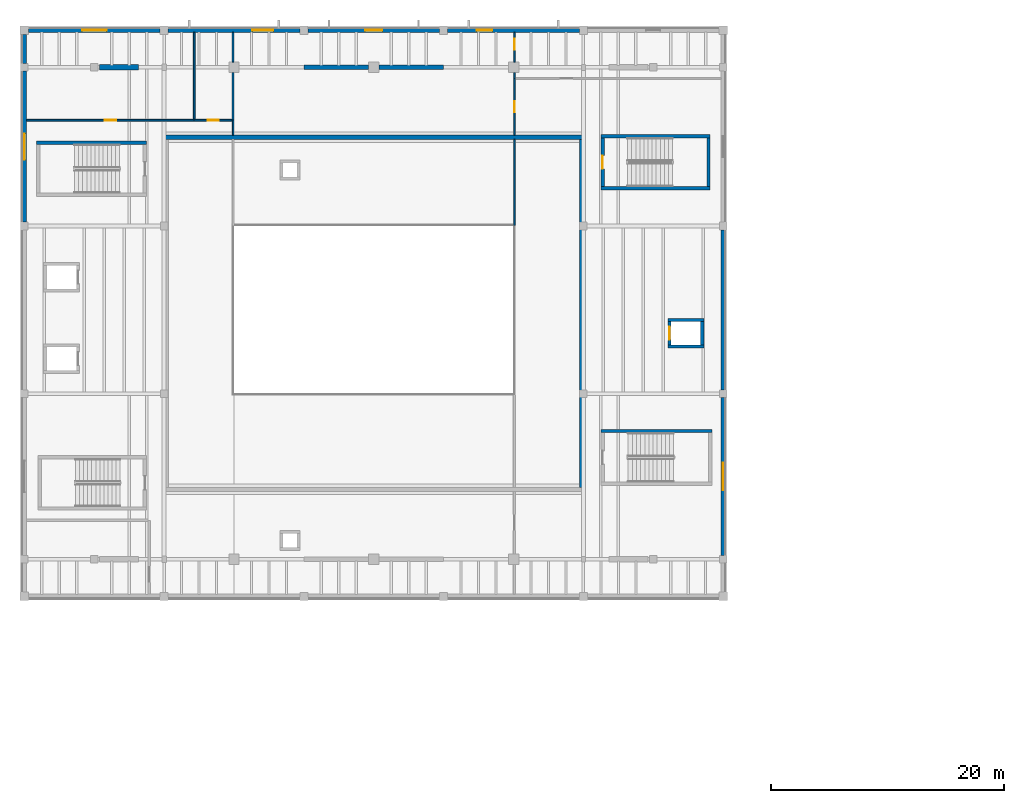
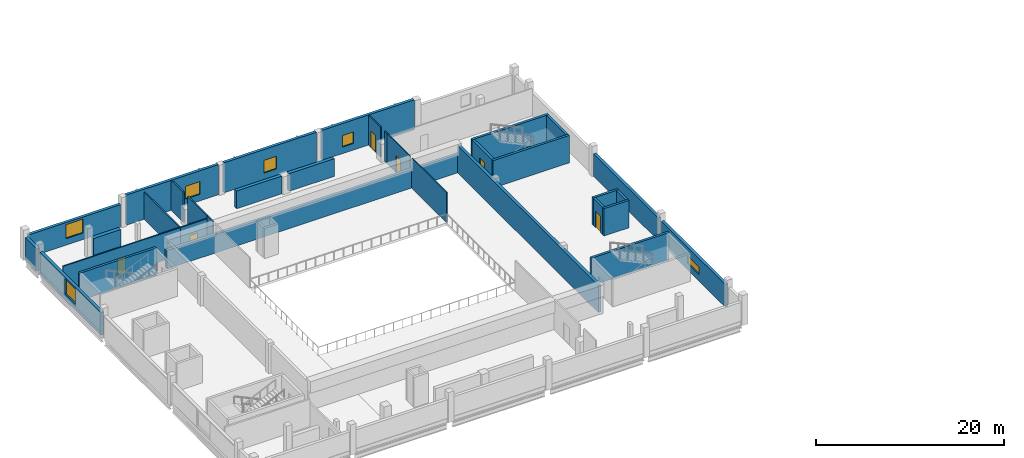
# One storey, part 8 of 19: 33 walls, 6 doors, 6 windows, 12 openings.
"""IFC4 building model written with IfcOpenShell, lengths in metres."""

from ifc_helpers import new_model, si_unit, direction, frame, frame_2d, origin, place, context, subcontext, project, spatial, rectangle, extrude, material, layer, layer_set, type_object, element, fill, save


model = new_model("IFC4")

# Units and contexts
model_context = context("Model", 3, precision=1e-05, world=origin(), true_north=direction((0.0, 1.0)))
body_context = subcontext(model_context, "Body", "Model", "MODEL_VIEW")
ifc_project = project(units=[si_unit("LENGTHUNIT", "METRE"), si_unit("AREAUNIT", "SQUARE_METRE"), si_unit("VOLUMEUNIT", "CUBIC_METRE"), si_unit("PLANEANGLEUNIT", "RADIAN"), si_unit("MASSUNIT", "GRAM", prefix="KILO")], contexts=[model_context])

# Site, building, storey
site_placement = place(None, origin())
site = spatial("IfcSite", under=ifc_project, at=site_placement, CompositionType="ELEMENT")
building_placement = place(site_placement, origin())
building = spatial("IfcBuilding", under=site, at=building_placement, Name="Kelmvaro Bay Concert Hall", CompositionType="ELEMENT")
storey_placement = place(building_placement, frame((0.0, 0.0, 18.300048828125)))
storey = spatial("IfcBuildingStorey", under=building, at=storey_placement, Name="L04", CompositionType="ELEMENT", Elevation=18.300048828125)

# Walls
ifc_material_1 = material(Name="Concrete C40/50", Category="concrete")
ifc_layer_1 = layer(ifc_material_1, 0.35009765625)
ifc_layer_set_1 = layer_set([ifc_layer_1], Name="Concrete C40/50")
wall_type_1 = type_object("IfcWallType", Name="Inner Floating Box Shear Wall 350", PredefinedType="SHEAR", material=ifc_layer_set_1)
wall_1_placement = place(storey_placement, frame((12.0048828125, 104.820068359375, 0.0), z_axis=(0.0, 0.0, 1.0), x_axis=(1.0, 0.0, 0.0)))
element("IfcWall", 1, at=wall_1_placement, inside=storey, type_object=wall_type_1, Name="L04 V1 Acoustic Inner Box Wall N", PredefinedType="SHEAR", context=body_context, shape_type="SweptSolid", body=[
    extrude(rectangle(XDim=35.990234375, YDim=0.35009765625, at=frame_2d((17.9951171875, 0.0))), origin(), (0.0, 0.0, 1.0), 2.389892578125),
])
wall_2_placement = place(storey_placement, frame((47.820068359375, 74.7548828125, 0.0), z_axis=(0.0, 0.0, 1.0), x_axis=(0.0, 1.0, 0.0)))
element("IfcWall", 2, at=wall_2_placement, inside=storey, type_object=wall_type_1, Name="L04 V1 Acoustic Inner Box Wall E", PredefinedType="SHEAR", context=body_context, shape_type="SweptSolid", body=[
    extrude(rectangle(XDim=29.89013671875, YDim=0.35009765625, at=frame_2d((14.945068359375, 0.0))), origin(), (0.0, 0.0, 1.0), 3.56005859375),
])

# Wall, opening, window
ifc_material_2 = material(Name="Precast Concrete C40/50", Category="concrete")
ifc_layer_2 = layer(ifc_material_2, 0.340087890625)
ifc_layer_set_2 = layer_set([ifc_layer_2], Name="Precast Concrete C40/50")
wall_type_2 = type_object("IfcWallType", Name="Main Hall Faceted Precast Wall 340", PredefinedType="SOLIDWALL", material=ifc_layer_set_2)
wall_3_placement = place(storey_placement, frame((0.375, 114.0, 0.0), z_axis=(0.0, 0.0, 1.0), x_axis=(1.0, 0.0, 0.0)))
wall_3 = element("IfcWall", 3, at=wall_3_placement, inside=storey, type_object=wall_type_2, Name="L04 Exterior Wall EW-L04-0062", PredefinedType="SOLIDWALL", context=body_context, shape_type="SweptSolid", body=[
    extrude(rectangle(XDim=11.27490234375, YDim=0.340087890625, at=frame_2d((5.637451171875, 0.0))), origin(), (0.0, 0.0, 1.0), 2.928955078125),
])
opening_1_placement = place(wall_3_placement, frame((4.58740234375, 0.0, 0.85009765625)))
opening_1 = element("IfcOpeningElement", 4, at=opening_1_placement, cuts=wall_3, Name="Opening WN-02", PredefinedType="OPENING", context=body_context, shape_type="SweptSolid", body=[
    extrude(rectangle(XDim=2.10009765625, YDim=1.800048828125, at=frame_2d((1.050048828125, 0.89990234375))), frame((0.0, 0.179931640625, 0.0), z_axis=(0.0, -1.0, 0.0), x_axis=(1.0, 0.0, 0.0)), (0.0, 0.0, 1.0), 0.360107421875),
])
ifc_material_3 = material(Name="Thermally Broken Aluminium and Acoustic Low-E Glass", Category="aluminium")
window_type_1 = type_object("IfcWindowType", Name="Bauhaus Ribbon Window 2100x1800", PartitioningType="SINGLE_PANEL", PredefinedType="WINDOW", material=ifc_material_3)
window_1_placement = place(opening_1_placement, origin())
window_1 = element("IfcWindow", 5, at=window_1_placement, inside=storey, type_object=window_type_1, Name="L04 Facade Window WN-L04-0030", OverallHeight=1.800048828125, OverallWidth=2.10009765625, PartitioningType="SINGLE_PANEL", PredefinedType="WINDOW", context=body_context, shape_type="SweptSolid", body=[
    extrude(rectangle(XDim=2.10009765625, YDim=1.800048828125, at=frame_2d((1.050048828125, 0.89990234375))), frame((0.0, 0.030029296875, 0.0), z_axis=(0.0, -1.0, 0.0), x_axis=(1.0, 0.0, 0.0)), (0.0, 0.0, 1.0), 0.06005859375),
])
fill(opening_1, window_1)

wall_4_placement = place(storey_placement, frame((12.35009765625, 114.0, 0.0), z_axis=(0.0, 0.0, 1.0), x_axis=(1.0, 0.0, 0.0)))
wall_4 = element("IfcWall", 6, at=wall_4_placement, inside=storey, type_object=wall_type_2, Name="L04 Exterior Wall EW-L04-0063", PredefinedType="SOLIDWALL", context=body_context, shape_type="SweptSolid", body=[
    extrude(rectangle(XDim=11.2998046875, YDim=0.340087890625, at=frame_2d((5.64990234375, 0.0))), origin(), (0.0, 0.0, 1.0), 3.89990234375),
])
opening_2_placement = place(wall_4_placement, frame((7.236083984375, 0.0, 0.85009765625)))
opening_2 = element("IfcOpeningElement", 7, at=opening_2_placement, cuts=wall_4, Name="Opening WN-03", PredefinedType="OPENING", context=body_context, shape_type="SweptSolid", body=[
    extrude(rectangle(XDim=1.800048828125, YDim=1.64990234375, at=frame_2d((0.89990234375, 0.824951171875))), frame((0.0, 0.179931640625, 0.0), z_axis=(0.0, -1.0, 0.0), x_axis=(1.0, 0.0, 0.0)), (0.0, 0.0, 1.0), 0.360107421875),
])
ifc_material_4 = material(Name="Thermally Broken Aluminium and Acoustic Low-E Glass", Category="aluminium")
window_type_2 = type_object("IfcWindowType", Name="Practice Studio Acoustic Window 1800x1650", PartitioningType="SINGLE_PANEL", PredefinedType="WINDOW", material=ifc_material_4)
window_2_placement = place(opening_2_placement, origin())
window_2 = element("IfcWindow", 8, at=window_2_placement, inside=storey, type_object=window_type_2, Name="L04 Facade Window WN-L04-0031", OverallHeight=1.64990234375, OverallWidth=1.800048828125, PartitioningType="SINGLE_PANEL", PredefinedType="WINDOW", context=body_context, shape_type="SweptSolid", body=[
    extrude(rectangle(XDim=1.800048828125, YDim=1.64990234375, at=frame_2d((0.89990234375, 0.824951171875))), frame((0.0, 0.030029296875, 0.0), z_axis=(0.0, -1.0, 0.0), x_axis=(1.0, 0.0, 0.0)), (0.0, 0.0, 1.0), 0.06005859375),
])
fill(opening_2, window_2)

wall_5_placement = place(storey_placement, frame((24.35009765625, 114.0, 0.0), z_axis=(0.0, 0.0, 1.0), x_axis=(1.0, 0.0, 0.0)))
wall_5 = element("IfcWall", 9, at=wall_5_placement, inside=storey, type_object=wall_type_2, Name="L04 Exterior Wall EW-L04-0064", PredefinedType="SOLIDWALL", context=body_context, shape_type="SweptSolid", body=[
    extrude(rectangle(XDim=11.2998046875, YDim=0.340087890625, at=frame_2d((5.64990234375, 0.0))), origin(), (0.0, 0.0, 1.0), 3.89990234375),
])
opening_3_placement = place(wall_5_placement, frame((4.89990234375, 0.0, 0.85009765625)))
opening_3 = element("IfcOpeningElement", 10, at=opening_3_placement, cuts=wall_5, Name="Opening WN-04", PredefinedType="OPENING", context=body_context, shape_type="SweptSolid", body=[
    extrude(rectangle(XDim=1.5, YDim=1.64990234375, at=frame_2d((0.75, 0.824951171875))), frame((0.0, 0.179931640625, 0.0), z_axis=(0.0, -1.0, 0.0), x_axis=(1.0, 0.0, 0.0)), (0.0, 0.0, 1.0), 0.360107421875),
])
ifc_material_5 = material(Name="Thermally Broken Aluminium and Acoustic Low-E Glass", Category="aluminium")
window_type_3 = type_object("IfcWindowType", Name="Practice Studio Acoustic Window 1500x1650", PartitioningType="SINGLE_PANEL", PredefinedType="WINDOW", material=ifc_material_5)
window_3_placement = place(opening_3_placement, origin())
window_3 = element("IfcWindow", 11, at=window_3_placement, inside=storey, type_object=window_type_3, Name="L04 Facade Window WN-L04-0032", OverallHeight=1.64990234375, OverallWidth=1.5, PartitioningType="SINGLE_PANEL", PredefinedType="WINDOW", context=body_context, shape_type="SweptSolid", body=[
    extrude(rectangle(XDim=1.5, YDim=1.64990234375, at=frame_2d((0.75, 0.824951171875))), frame((0.0, 0.030029296875, 0.0), z_axis=(0.0, -1.0, 0.0), x_axis=(1.0, 0.0, 0.0)), (0.0, 0.0, 1.0), 0.06005859375),
])
fill(opening_3, window_3)

wall_6_placement = place(storey_placement, frame((36.35009765625, 114.0, 0.0), z_axis=(0.0, 0.0, 1.0), x_axis=(1.0, 0.0, 0.0)))
wall_6 = element("IfcWall", 12, at=wall_6_placement, inside=storey, type_object=wall_type_2, Name="L04 Exterior Wall EW-L04-0065", PredefinedType="SOLIDWALL", context=body_context, shape_type="SweptSolid", body=[
    extrude(rectangle(XDim=11.2998046875, YDim=0.340087890625, at=frame_2d((5.64990234375, 0.0))), origin(), (0.0, 0.0, 1.0), 3.89990234375),
])
opening_4_placement = place(wall_6_placement, frame((2.489013671875, 0.0, 0.85009765625)))
opening_4 = element("IfcOpeningElement", 13, at=opening_4_placement, cuts=wall_6, Name="Opening WN-05", PredefinedType="OPENING", context=body_context, shape_type="SweptSolid", body=[
    extrude(rectangle(XDim=1.35009765625, YDim=1.5, at=frame_2d((0.675048828125, 0.75))), frame((0.0, 0.179931640625, 0.0), z_axis=(0.0, -1.0, 0.0), x_axis=(1.0, 0.0, 0.0)), (0.0, 0.0, 1.0), 0.360107421875),
])
ifc_material_6 = material(Name="Thermally Broken Aluminium and Acoustic Low-E Glass", Category="aluminium")
window_type_4 = type_object("IfcWindowType", Name="Dressing Suite Daylight Window 1350x1500", PartitioningType="SINGLE_PANEL", PredefinedType="WINDOW", material=ifc_material_6)
window_4_placement = place(opening_4_placement, origin())
window_4 = element("IfcWindow", 14, at=window_4_placement, inside=storey, type_object=window_type_4, Name="L04 Facade Window WN-L04-0033", OverallHeight=1.5, OverallWidth=1.35009765625, PartitioningType="SINGLE_PANEL", PredefinedType="WINDOW", context=body_context, shape_type="SweptSolid", body=[
    extrude(rectangle(XDim=1.35009765625, YDim=1.5, at=frame_2d((0.675048828125, 0.75))), frame((0.0, 0.030029296875, 0.0), z_axis=(0.0, -1.0, 0.0), x_axis=(1.0, 0.0, 0.0)), (0.0, 0.0, 1.0), 0.06005859375),
])
fill(opening_4, window_4)

wall_7_placement = place(storey_placement, frame((60.0, 82.47509765625, 0.0), z_axis=(0.0, 0.0, 1.0), x_axis=(0.0, -1.0, 0.0)))
wall_7 = element("IfcWall", 15, at=wall_7_placement, inside=storey, type_object=wall_type_2, Name="L04 Exterior Wall EW-L04-0072", PredefinedType="SOLIDWALL", context=body_context, shape_type="SweptSolid", body=[
    extrude(rectangle(XDim=13.570068359375, YDim=0.340087890625, at=frame_2d((6.78515625, 0.0))), origin(), (0.0, 0.0, 1.0), 2.929931640625),
])
opening_5_placement = place(wall_7_placement, frame((5.5849609375, 0.0, 0.85009765625)))
opening_5 = element("IfcOpeningElement", 16, at=opening_5_placement, cuts=wall_7, Name="Opening WN-09", PredefinedType="OPENING", context=body_context, shape_type="SweptSolid", body=[
    extrude(rectangle(XDim=2.39990234375, YDim=0.949951171875, at=frame_2d((1.199951171875, 0.47509765625))), frame((0.0, 0.179931640625, 0.0), z_axis=(0.0, -1.0, 0.0), x_axis=(1.0, 0.0, 0.0)), (0.0, 0.0, 1.0), 0.360107421875),
])
ifc_material_7 = material(Name="Thermally Broken Aluminium and Acoustic Low-E Glass", Category="aluminium")
window_type_5 = type_object("IfcWindowType", Name="Archive Clerestory Window 2400x950", PartitioningType="SINGLE_PANEL", PredefinedType="WINDOW", material=ifc_material_7)
window_5_placement = place(opening_5_placement, origin())
window_5 = element("IfcWindow", 17, at=window_5_placement, inside=storey, type_object=window_type_5, Name="L04 Facade Window WN-L04-0037", OverallHeight=0.949951171875, OverallWidth=2.39990234375, PartitioningType="SINGLE_PANEL", PredefinedType="WINDOW", context=body_context, shape_type="SweptSolid", body=[
    extrude(rectangle(XDim=2.39990234375, YDim=0.949951171875, at=frame_2d((1.199951171875, 0.47509765625))), frame((0.0, 0.030029296875, 0.0), z_axis=(0.0, -1.0, 0.0), x_axis=(1.0, 0.0, 0.0)), (0.0, 0.0, 1.0), 0.06005859375),
])
fill(opening_5, window_5)

# Walls
wall_8_placement = place(storey_placement, frame((60.0, 96.875, 0.0), z_axis=(0.0, 0.0, 1.0), x_axis=(0.0, -1.0, 0.0)))
element("IfcWall", 18, at=wall_8_placement, inside=storey, type_object=wall_type_2, Name="L04 Exterior Wall EW-L04-0074", PredefinedType="SOLIDWALL", context=body_context, shape_type="SweptSolid", body=[
    extrude(rectangle(XDim=13.75, YDim=0.340087890625, at=frame_2d((6.875, 0.0))), origin(), (0.0, 0.0, 1.0), 2.929931640625),
])
ifc_material_8 = material(Name="Concrete C40/50", Category="concrete")
ifc_layer_3 = layer(ifc_material_8, 0.449951171875)
ifc_layer_set_3 = layer_set([ifc_layer_3], Name="Concrete C40/50")
wall_type_3 = type_object("IfcWallType", Name="Outer Acoustic Box Shear Wall 450", PredefinedType="SHEAR", material=ifc_layer_set_3)
wall_9_placement = place(storey_placement, frame((6.449951171875, 110.820068359375, 0.0), z_axis=(0.0, 0.0, 1.0), x_axis=(1.0, 0.0, 0.0)))
element("IfcWall", 19, at=wall_9_placement, inside=storey, type_object=wall_type_3, Name="L04 Shell Springing Shear Wall N1", PredefinedType="SHEAR", context=body_context, shape_type="SweptSolid", body=[
    extrude(rectangle(XDim=3.35009765625, YDim=0.449951171875, at=frame_2d((1.675048828125, 0.0))), origin(), (0.0, 0.0, 1.0), 2.300048828125),
])
ifc_material_9 = material(Name="Concrete C40/50", Category="concrete")
ifc_layer_4 = layer(ifc_material_9, 0.27001953125)
ifc_layer_set_4 = layer_set([ifc_layer_4], Name="Concrete C40/50")
wall_type_4 = type_object("IfcWallType", Name="Secondary Shaft Shear Wall 270", PredefinedType="SHEAR", material=ifc_layer_set_4)
for number, where, z_axis, x_axis, name in (
    (20, (55.2548828125, 86.864990234375, 0.0), (0.0, 0.0, 1.0), (1.0, 0.0, 0.0), "L04 LF-03 Lift Shaft Wall S"),
    (21, (55.2548828125, 89.135009765625, 0.0), (0.0, 0.0, 1.0), (1.0, 0.0, 0.0), "L04 LF-03 Lift Shaft Wall N"),
):
    element("IfcWall", number, at=place(storey_placement, frame(where, z_axis=z_axis, x_axis=x_axis)), inside=storey, type_object=wall_type_4, Name=name, PredefinedType="SHEAR", context=body_context, shape_type="SweptSolid", body=[
        extrude(rectangle(XDim=3.090087890625, YDim=0.27001953125, at=frame_2d((1.544921875, 0.0))), origin(), (0.0, 0.0, 1.0), 3.56005859375),
    ])

# Wall, opening, door
wall_10_placement = place(storey_placement, frame((55.389892578125, 87.0, 0.0), z_axis=(0.0, 0.0, 1.0), x_axis=(0.0, 1.0, 0.0)))
wall_10 = element("IfcWall", 22, at=wall_10_placement, inside=storey, type_object=wall_type_4, Name="L04 LF-03 Lift Shaft Wall W", PredefinedType="SHEAR", context=body_context, shape_type="SweptSolid", body=[
    extrude(rectangle(XDim=2.0, YDim=0.27001953125, at=frame_2d((1.0, 0.0))), origin(), (0.0, 0.0, 1.0), 3.56005859375),
])
opening_6_placement = place(wall_10_placement, frame((0.43994140625, 0.0, 0.0)))
opening_6 = element("IfcOpeningElement", 23, at=opening_6_placement, cuts=wall_10, Name="Opening LD-112", PredefinedType="OPENING", context=body_context, shape_type="SweptSolid", body=[
    extrude(rectangle(XDim=1.1201171875, YDim=2.14990234375, at=frame_2d((0.56005859375, 1.074951171875))), frame((0.0, 0.14501953125, 0.0), z_axis=(0.0, -1.0, 0.0), x_axis=(1.0, 0.0, 0.0)), (0.0, 0.0, 1.0), 0.2900390625),
])
ifc_material_10 = material(Name="Brushed Stainless Steel 316", Category="steel")
door_type_1 = type_object("IfcDoorType", Name="Passenger Lift Sliding Landing Door 1120x2150", OperationType="NOTDEFINED", PredefinedType="DOOR", material=ifc_material_10)
door_1_placement = place(opening_6_placement, origin())
door_1 = element("IfcDoor", 24, at=door_1_placement, inside=storey, type_object=door_type_1, Name="L04 Lift Landing Door LF-03", OperationType="SLIDING_TO_LEFT", OverallHeight=2.14990234375, OverallWidth=1.1201171875, PredefinedType="DOOR", context=body_context, shape_type="SweptSolid", body=[
    extrude(rectangle(XDim=1.1201171875, YDim=2.14990234375, at=frame_2d((0.56005859375, 1.074951171875))), frame((0.0, 0.02490234375, 0.0), z_axis=(0.0, -1.0, 0.0), x_axis=(1.0, 0.0, 0.0)), (0.0, 0.0, 1.0), 0.050048828125),
])
fill(opening_6, door_1)

# Walls
wall_11_placement = place(storey_placement, frame((58.2099609375, 87.0, 0.0), z_axis=(0.0, 0.0, 1.0), x_axis=(0.0, 1.0, 0.0)))
element("IfcWall", 25, at=wall_11_placement, inside=storey, type_object=wall_type_4, Name="L04 LF-03 Lift Shaft Wall E", PredefinedType="SHEAR", context=body_context, shape_type="SweptSolid", body=[
    extrude(rectangle(XDim=2.0, YDim=0.27001953125, at=frame_2d((1.0, 0.0))), origin(), (0.0, 0.0, 1.0), 3.56005859375),
])
ifc_material_11 = material(Name="Concrete C40/50", Category="concrete")
ifc_layer_5 = layer(ifc_material_11, 0.409912109375)
ifc_layer_set_5 = layer_set([ifc_layer_5], Name="Concrete C40/50")
wall_type_5 = type_object("IfcWallType", Name="Shell Springing Shear Wall 410", PredefinedType="SHEAR", material=ifc_layer_set_5)
for number, where, z_axis, x_axis, name in (
    (26, (24.0, 110.820068359375, 0.0), (0.0, 0.0, 1.0), (1.0, 0.0, 0.0), "L04 Shell Springing Shear Wall N2"),
    (27, (30.449951171875, 110.820068359375, 0.0), (0.0, 0.0, 1.0), (1.0, 0.0, 0.0), "L04 Shell Springing Shear Wall N3"),
):
    element("IfcWall", number, at=place(storey_placement, frame(where, z_axis=z_axis, x_axis=x_axis)), inside=storey, type_object=wall_type_5, Name=name, PredefinedType="SHEAR", context=body_context, shape_type="SweptSolid", body=[
        extrude(rectangle(XDim=5.550048828125, YDim=0.409912109375, at=frame_2d((2.77490234375, 0.0))), origin(), (0.0, 0.0, 1.0), 2.300048828125),
    ])
ifc_material_12 = material(Name="Concrete C40/50", Category="concrete")
ifc_layer_6 = layer(ifc_material_12, 0.2900390625)
ifc_layer_set_6 = layer_set([ifc_layer_6], Name="Concrete C40/50")
wall_type_6 = type_object("IfcWallType", Name="Stair and Lift Core Shear Wall 290", PredefinedType="SHEAR", material=ifc_layer_set_6)
for number, where, z_axis, x_axis, name in (
    (28, (49.510009765625, 100.455078125, 0.0), (0.0, 0.0, 1.0), (1.0, 0.0, 0.0), "L04 ST-02 Core Shear Wall S"),
    (29, (49.510009765625, 104.89501953125, 0.0), (0.0, 0.0, 1.0), (1.0, 0.0, 0.0), "L04 ST-02 Core Shear Wall N"),
):
    element("IfcWall", number, at=place(storey_placement, frame(where, z_axis=z_axis, x_axis=x_axis)), inside=storey, type_object=wall_type_6, Name=name, PredefinedType="SHEAR", context=body_context, shape_type="SweptSolid", body=[
        extrude(rectangle(XDim=9.3798828125, YDim=0.2900390625, at=frame_2d((4.68994140625, 0.0))), origin(), (0.0, 0.0, 1.0), 3.56005859375),
    ])

# Wall, opening, door
wall_12_placement = place(storey_placement, frame((49.655029296875, 100.60009765625, 0.0), z_axis=(0.0, 0.0, 1.0), x_axis=(0.0, 1.0, 0.0)))
wall_12 = element("IfcWall", 30, at=wall_12_placement, inside=storey, type_object=wall_type_6, Name="L04 ST-02 Core Shear Wall W", PredefinedType="SHEAR", context=body_context, shape_type="SweptSolid", body=[
    extrude(rectangle(XDim=4.14990234375, YDim=0.2900390625, at=frame_2d((2.074951171875, 0.0))), origin(), (0.0, 0.0, 1.0), 3.56005859375),
])
opening_7_placement = place(wall_12_placement, frame((1.5, 0.0, 0.0)))
opening_7 = element("IfcOpeningElement", 31, at=opening_7_placement, cuts=wall_12, Name="Opening ID-ST1", PredefinedType="OPENING", context=body_context, shape_type="SweptSolid", body=[
    extrude(rectangle(XDim=1.14990234375, YDim=2.14990234375, at=frame_2d((0.574951171875, 1.074951171875))), frame((0.0, 0.155029296875, 0.0), z_axis=(0.0, -1.0, 0.0), x_axis=(1.0, 0.0, 0.0)), (0.0, 0.0, 1.0), 0.31005859375),
])
ifc_material_13 = material(Name="Fire-Rated Galvanised Steel", Category="steel")
door_type_2 = type_object("IfcDoorType", Name="Exit Stair Fire Door 1150x2150", OperationType="NOTDEFINED", PredefinedType="DOOR", material=ifc_material_13)
door_2_placement = place(opening_7_placement, origin())
door_2 = element("IfcDoor", 32, at=door_2_placement, inside=storey, type_object=door_type_2, Name="L04 ST-02 Stair Fire Door", OperationType="SINGLE_SWING_RIGHT", OverallHeight=2.14990234375, OverallWidth=1.14990234375, PredefinedType="DOOR", context=body_context, shape_type="SweptSolid", body=[
    extrude(rectangle(XDim=1.14990234375, YDim=2.14990234375, at=frame_2d((0.574951171875, 1.074951171875))), frame((0.0, 0.02490234375, 0.0), z_axis=(0.0, -1.0, 0.0), x_axis=(1.0, 0.0, 0.0)), (0.0, 0.0, 1.0), 0.050048828125),
])
fill(opening_7, door_2)

# Walls
wall_13_placement = place(storey_placement, frame((58.7451171875, 100.60009765625, 0.0), z_axis=(0.0, 0.0, 1.0), x_axis=(0.0, 1.0, 0.0)))
element("IfcWall", 33, at=wall_13_placement, inside=storey, type_object=wall_type_6, Name="L04 ST-02 Core Shear Wall E", PredefinedType="SHEAR", context=body_context, shape_type="SweptSolid", body=[
    extrude(rectangle(XDim=4.14990234375, YDim=0.2900390625, at=frame_2d((2.074951171875, 0.0))), origin(), (0.0, 0.0, 1.0), 3.56005859375),
])
wall_14_placement = place(storey_placement, frame((1.06005859375, 104.344970703125, 0.0), z_axis=(0.0, 0.0, 1.0), x_axis=(1.0, 0.0, 0.0)))
element("IfcWall", 34, at=wall_14_placement, inside=storey, type_object=wall_type_6, Name="L04 ST-03 Core Shear Wall N", PredefinedType="SHEAR", context=body_context, shape_type="SweptSolid", body=[
    extrude(rectangle(XDim=9.429931640625, YDim=0.2900390625, at=frame_2d((4.71484375, 0.0))), origin(), (0.0, 0.0, 1.0), 3.56005859375),
])
wall_15_placement = place(storey_placement, frame((49.510009765625, 79.594970703125, 0.0), z_axis=(0.0, 0.0, 1.0), x_axis=(1.0, 0.0, 0.0)))
element("IfcWall", 35, at=wall_15_placement, inside=storey, type_object=wall_type_6, Name="L04 ST-04 Core Shear Wall N", PredefinedType="SHEAR", context=body_context, shape_type="SweptSolid", body=[
    extrude(rectangle(XDim=9.530029296875, YDim=0.2900390625, at=frame_2d((4.76513671875, 0.0))), origin(), (0.0, 0.0, 1.0), 3.56005859375),
])
ifc_material_14 = material(Name="Acoustic Gypsum Board on Galvanised Steel Studs", Category="steel")
ifc_layer_7 = layer(ifc_material_14, 0.1201171875)
ifc_layer_set_7 = layer_set([ifc_layer_7], Name="Acoustic Gypsum Board on Galvanised Steel Studs")
wall_type_7 = type_object("IfcWallType", Name="Standard Architectural Partition 120", PredefinedType="PARTITIONING", material=ifc_layer_set_7)
wall_16_placement = place(storey_placement, frame((17.919921875, 105.0048828125, 0.0), z_axis=(0.0, 0.0, 1.0), x_axis=(0.0, 1.0, 0.0)))
element("IfcWall", 36, at=wall_16_placement, inside=storey, type_object=wall_type_7, Name="L04 Interior Partition PT-L04-0336", PredefinedType="PARTITIONING", context=body_context, shape_type="SweptSolid", body=[
    extrude(rectangle(XDim=1.280029296875, YDim=0.1201171875, at=frame_2d((0.64013671875, 0.0))), origin(), (0.0, 0.0, 1.0), 3.89990234375),
])
wall_17_placement = place(storey_placement, frame((42.080078125, 97.25, 0.0), z_axis=(0.0, 0.0, 1.0), x_axis=(0.0, 1.0, 0.0)))
element("IfcWall", 37, at=wall_17_placement, inside=storey, type_object=wall_type_7, Name="L04 Interior Partition PT-L04-0339", PredefinedType="PARTITIONING", context=body_context, shape_type="SweptSolid", body=[
    extrude(rectangle(XDim=7.385009765625, YDim=0.1201171875, at=frame_2d((3.6923828125, 0.0))), origin(), (0.0, 0.0, 1.0), 3.89990234375),
])

# Wall, opening, door
wall_18_placement = place(storey_placement, frame((42.080078125, 105.0048828125, 0.0), z_axis=(0.0, 0.0, 1.0), x_axis=(0.0, 1.0, 0.0)))
wall_18 = element("IfcWall", 38, at=wall_18_placement, inside=storey, type_object=wall_type_7, Name="L04 Interior Partition PT-L04-0340", PredefinedType="PARTITIONING", context=body_context, shape_type="SweptSolid", body=[
    extrude(rectangle(XDim=4.880126953125, YDim=0.1201171875, at=frame_2d((2.43994140625, 0.0))), origin(), (0.0, 0.0, 1.0), 3.89990234375),
])
opening_8_placement = place(wall_18_placement, frame((1.9599609375, 0.0, 0.0)))
opening_8 = element("IfcOpeningElement", 39, at=opening_8_placement, cuts=wall_18, Name="Opening ID-AD1", PredefinedType="OPENING", context=body_context, shape_type="SweptSolid", body=[
    extrude(rectangle(XDim=0.9599609375, YDim=2.159912109375, at=frame_2d((0.47998046875, 1.080078125))), frame((0.0, 0.070068359375, 0.0), z_axis=(0.0, -1.0, 0.0), x_axis=(1.0, 0.0, 0.0)), (0.0, 0.0, 1.0), 0.14013671875),
])
ifc_material_15 = material(Name="Anodised Aluminium and Glass", Category="aluminium")
door_type_3 = type_object("IfcDoorType", Name="Administration Suite Glazed Door 960x2160", OperationType="NOTDEFINED", PredefinedType="DOOR", material=ifc_material_15)
door_3_placement = place(opening_8_placement, origin())
door_3 = element("IfcDoor", 40, at=door_3_placement, inside=storey, type_object=door_type_3, Name="L04 Interior Door DR-INT-L04-0197", OperationType="SINGLE_SWING_LEFT", OverallHeight=2.159912109375, OverallWidth=0.9599609375, PredefinedType="DOOR", context=body_context, shape_type="SweptSolid", body=[
    extrude(rectangle(XDim=0.9599609375, YDim=2.159912109375, at=frame_2d((0.47998046875, 1.080078125))), frame((0.0, 0.02490234375, 0.0), z_axis=(0.0, -1.0, 0.0), x_axis=(1.0, 0.0, 0.0)), (0.0, 0.0, 1.0), 0.050048828125),
])
fill(opening_8, door_3)

# Wall
wall_19_placement = place(storey_placement, frame((42.080078125, 109.875, 0.0), z_axis=(0.0, 0.0, 1.0), x_axis=(0.0, 1.0, 0.0)))
element("IfcWall", 41, at=wall_19_placement, inside=storey, type_object=wall_type_7, Name="L04 Interior Partition PT-L04-0341", PredefinedType="PARTITIONING", context=body_context, shape_type="SweptSolid", body=[
    extrude(rectangle(XDim=0.487060546875, YDim=0.1201171875, at=frame_2d((0.24365234375, 0.0))), origin(), (0.0, 0.0, 1.0), 3.89990234375),
])

# Wall, opening, door
wall_20_placement = place(storey_placement, frame((42.080078125, 111.278076171875, 0.0), z_axis=(0.0, 0.0, 1.0), x_axis=(0.0, 1.0, 0.0)))
wall_20 = element("IfcWall", 42, at=wall_20_placement, inside=storey, type_object=wall_type_7, Name="L04 Interior Partition PT-L04-0342", PredefinedType="PARTITIONING", context=body_context, shape_type="SweptSolid", body=[
    extrude(rectangle(XDim=2.5419921875, YDim=0.1201171875, at=frame_2d((1.27099609375, 0.0))), origin(), (0.0, 0.0, 1.0), 3.89990234375),
])
opening_9_placement = place(wall_20_placement, frame((1.057373046875, 0.0, 0.0)))
opening_9 = element("IfcOpeningElement", 43, at=opening_9_placement, cuts=wall_20, Name="Opening ID-AD1", PredefinedType="OPENING", context=body_context, shape_type="SweptSolid", body=[
    extrude(rectangle(XDim=0.9599609375, YDim=2.159912109375, at=frame_2d((0.47998046875, 1.080078125))), frame((0.0, 0.070068359375, 0.0), z_axis=(0.0, -1.0, 0.0), x_axis=(1.0, 0.0, 0.0)), (0.0, 0.0, 1.0), 0.14013671875),
])
door_4_placement = place(opening_9_placement, origin())
door_4 = element("IfcDoor", 44, at=door_4_placement, inside=storey, type_object=door_type_3, Name="L04 Interior Door DR-INT-L04-0198", OperationType="SINGLE_SWING_RIGHT", OverallHeight=2.159912109375, OverallWidth=0.9599609375, PredefinedType="DOOR", context=body_context, shape_type="SweptSolid", body=[
    extrude(rectangle(XDim=0.9599609375, YDim=2.159912109375, at=frame_2d((0.47998046875, 1.080078125))), frame((0.0, 0.02490234375, 0.0), z_axis=(0.0, -1.0, 0.0), x_axis=(1.0, 0.0, 0.0)), (0.0, 0.0, 1.0), 0.050048828125),
])
fill(opening_9, door_4)

# Wall, opening, window
ifc_material_16 = material(Name="Precast Concrete C40/50", Category="concrete")
ifc_layer_8 = layer(ifc_material_16, 0.360107421875)
ifc_layer_set_8 = layer_set([ifc_layer_8], Name="Precast Concrete C40/50")
wall_type_8 = type_object("IfcWallType", Name="Travertine Acoustic Precast Wall 360", PredefinedType="SOLIDWALL", material=ifc_layer_set_8)
wall_21_placement = place(storey_placement, frame((0.0, 97.52490234375, 0.0), z_axis=(0.0, 0.0, 1.0), x_axis=(0.0, 1.0, 0.0)))
wall_21 = element("IfcWall", 45, at=wall_21_placement, inside=storey, type_object=wall_type_8, Name="L04 Exterior Wall EW-L04-0070", PredefinedType="SOLIDWALL", context=body_context, shape_type="SweptSolid", body=[
    extrude(rectangle(XDim=12.97021484375, YDim=0.360107421875, at=frame_2d((6.485107421875, 0.0))), origin(), (0.0, 0.0, 1.0), 2.929931640625),
])
opening_10_placement = place(wall_21_placement, frame((5.360107421875, 0.0, 0.780029296875)))
opening_10 = element("IfcOpeningElement", 46, at=opening_10_placement, cuts=wall_21, Name="Opening WN-08", PredefinedType="OPENING", context=body_context, shape_type="SweptSolid", body=[
    extrude(rectangle(XDim=2.25, YDim=1.949951171875, at=frame_2d((1.125, 0.97509765625))), frame((0.0, 0.18994140625, 0.0), z_axis=(0.0, -1.0, 0.0), x_axis=(1.0, 0.0, 0.0)), (0.0, 0.0, 1.0), 0.380126953125),
])
ifc_material_17 = material(Name="Thermally Broken Aluminium and Acoustic Low-E Glass", Category="aluminium")
window_type_6 = type_object("IfcWindowType", Name="Classroom Mullion Window 2250x1950", PartitioningType="SINGLE_PANEL", PredefinedType="WINDOW", material=ifc_material_17)
window_6_placement = place(opening_10_placement, origin())
window_6 = element("IfcWindow", 47, at=window_6_placement, inside=storey, type_object=window_type_6, Name="L04 Facade Window WN-L04-0036", OverallHeight=1.949951171875, OverallWidth=2.25, PartitioningType="SINGLE_PANEL", PredefinedType="WINDOW", context=body_context, shape_type="SweptSolid", body=[
    extrude(rectangle(XDim=2.25, YDim=1.949951171875, at=frame_2d((1.125, 0.97509765625))), frame((0.0, 0.030029296875, 0.0), z_axis=(0.0, -1.0, 0.0), x_axis=(1.0, 0.0, 0.0)), (0.0, 0.0, 1.0), 0.06005859375),
])
fill(opening_10, window_6)

# Walls
wall_22_placement = place(storey_placement, frame((0.0, 111.14501953125, 0.0), z_axis=(0.0, 0.0, 1.0), x_axis=(0.0, 1.0, 0.0)))
element("IfcWall", 48, at=wall_22_placement, inside=storey, type_object=wall_type_8, Name="L04 Exterior Wall EW-L04-0071", PredefinedType="SOLIDWALL", context=body_context, shape_type="SweptSolid", body=[
    extrude(rectangle(XDim=2.47998046875, YDim=0.360107421875, at=frame_2d((1.239990234375, 0.0))), origin(), (0.0, 0.0, 1.0), 2.927978515625),
])
ifc_material_18 = material(Name="Acoustic Gypsum Board on Galvanised Steel Studs", Category="steel")
ifc_layer_9 = layer(ifc_material_18, 0.14990234375)
ifc_layer_set_9 = layer_set([ifc_layer_9], Name="Acoustic Gypsum Board on Galvanised Steel Studs")
wall_type_9 = type_object("IfcWallType", Name="Wet Area Moisture-Resistant Partition 150", PredefinedType="PARTITIONING", material=ifc_layer_set_9)
wall_23_placement = place(storey_placement, frame((17.919921875, 106.27490234375, 0.0), z_axis=(0.0, 0.0, 1.0), x_axis=(0.0, 1.0, 0.0)))
element("IfcWall", 49, at=wall_23_placement, inside=storey, type_object=wall_type_9, Name="L04 Interior Partition PT-L04-0337", PredefinedType="PARTITIONING", context=body_context, shape_type="SweptSolid", body=[
    extrude(rectangle(XDim=4.087158203125, YDim=0.14990234375, at=frame_2d((2.04345703125, 0.0))), origin(), (0.0, 0.0, 1.0), 3.89990234375),
])
wall_24_placement = place(storey_placement, frame((17.919921875, 111.278076171875, 0.0), z_axis=(0.0, 0.0, 1.0), x_axis=(0.0, 1.0, 0.0)))
element("IfcWall", 50, at=wall_24_placement, inside=storey, type_object=wall_type_9, Name="L04 Interior Partition PT-L04-0338", PredefinedType="PARTITIONING", context=body_context, shape_type="SweptSolid", body=[
    extrude(rectangle(XDim=2.5419921875, YDim=0.14990234375, at=frame_2d((1.27099609375, 0.0))), origin(), (0.0, 0.0, 1.0), 3.89990234375),
])

# Wall, opening, door
wall_25_placement = place(storey_placement, frame((0.18994140625, 106.280029296875, 0.0), z_axis=(0.0, 0.0, 1.0), x_axis=(1.0, 0.0, 0.0)))
wall_25 = element("IfcWall", 51, at=wall_25_placement, inside=storey, type_object=wall_type_9, Name="L04 Interior Partition PT-L04-0344", PredefinedType="PARTITIONING", context=body_context, shape_type="SweptSolid", body=[
    extrude(rectangle(XDim=14.39501953125, YDim=0.14990234375, at=frame_2d((7.197509765625, 0.0))), origin(), (0.0, 0.0, 1.0), 3.5400390625),
])
opening_11_placement = place(wall_25_placement, frame((6.6923828125, 0.0, 0.0)))
opening_11 = element("IfcOpeningElement", 52, at=opening_11_placement, cuts=wall_25, Name="Opening ID-WC2", PredefinedType="OPENING", context=body_context, shape_type="SweptSolid", body=[
    extrude(rectangle(XDim=1.010009765625, YDim=2.10009765625, at=frame_2d((0.5048828125, 1.050048828125))), frame((0.0, 0.0849609375, 0.0), z_axis=(0.0, -1.0, 0.0), x_axis=(1.0, 0.0, 0.0)), (0.0, 0.0, 1.0), 0.169921875),
])
ifc_material_19 = material(Name="High-Pressure Laminate Core")
door_type_4 = type_object("IfcDoorType", Name="Public Restroom Vestibule Door 1010x2100", OperationType="NOTDEFINED", PredefinedType="DOOR", material=ifc_material_19)
door_5_placement = place(opening_11_placement, origin())
door_5 = element("IfcDoor", 53, at=door_5_placement, inside=storey, type_object=door_type_4, Name="L04 Interior Door DR-INT-L04-0199", OperationType="SINGLE_SWING_LEFT", OverallHeight=2.10009765625, OverallWidth=1.010009765625, PredefinedType="DOOR", context=body_context, shape_type="SweptSolid", body=[
    extrude(rectangle(XDim=1.010009765625, YDim=2.10009765625, at=frame_2d((0.5048828125, 1.050048828125))), frame((0.0, 0.02490234375, 0.0), z_axis=(0.0, -1.0, 0.0), x_axis=(1.0, 0.0, 0.0)), (0.0, 0.0, 1.0), 0.050048828125),
])
fill(opening_11, door_5)

wall_26_placement = place(storey_placement, frame((14.574951171875, 106.280029296875, 0.0), z_axis=(0.0, 0.0, 1.0), x_axis=(1.0, 0.0, 0.0)))
wall_26 = element("IfcWall", 54, at=wall_26_placement, inside=storey, type_object=wall_type_9, Name="L04 Interior Partition PT-L04-0345", PredefinedType="PARTITIONING", context=body_context, shape_type="SweptSolid", body=[
    extrude(rectangle(XDim=3.260009765625, YDim=0.14990234375, at=frame_2d((1.6298828125, 0.0))), origin(), (0.0, 0.0, 1.0), 3.5400390625),
])
opening_12_placement = place(wall_26_placement, frame((1.159912109375, 0.0, 0.0)))
opening_12 = element("IfcOpeningElement", 55, at=opening_12_placement, cuts=wall_26, Name="Opening ID-WC1", PredefinedType="OPENING", context=body_context, shape_type="SweptSolid", body=[
    extrude(rectangle(XDim=0.93994140625, YDim=2.10009765625, at=frame_2d((0.469970703125, 1.050048828125))), frame((0.0, 0.0849609375, 0.0), z_axis=(0.0, -1.0, 0.0), x_axis=(1.0, 0.0, 0.0)), (0.0, 0.0, 1.0), 0.169921875),
])
ifc_material_20 = material(Name="High-Pressure Laminate Core")
door_type_5 = type_object("IfcDoorType", Name="Accessible Restroom Door 940x2100", OperationType="NOTDEFINED", PredefinedType="DOOR", material=ifc_material_20)
door_6_placement = place(opening_12_placement, origin())
door_6 = element("IfcDoor", 56, at=door_6_placement, inside=storey, type_object=door_type_5, Name="L04 Interior Door DR-INT-L04-0200", OperationType="SINGLE_SWING_RIGHT", OverallHeight=2.10009765625, OverallWidth=0.93994140625, PredefinedType="DOOR", context=body_context, shape_type="SweptSolid", body=[
    extrude(rectangle(XDim=0.93994140625, YDim=2.10009765625, at=frame_2d((0.469970703125, 1.050048828125))), frame((0.0, 0.02490234375, 0.0), z_axis=(0.0, -1.0, 0.0), x_axis=(1.0, 0.0, 0.0)), (0.0, 0.0, 1.0), 0.050048828125),
])
fill(opening_12, door_6)

# Wall
wall_27_placement = place(storey_placement, frame((14.580078125, 106.364990234375, 0.0), z_axis=(0.0, 0.0, 1.0), x_axis=(0.0, 1.0, 0.0)))
element("IfcWall", 57, at=wall_27_placement, inside=storey, type_object=wall_type_9, Name="L04 Interior Partition PT-L04-0346", PredefinedType="PARTITIONING", context=body_context, shape_type="SweptSolid", body=[
    extrude(rectangle(XDim=7.455078125, YDim=0.14990234375, at=frame_2d((3.7275390625, 0.0))), origin(), (0.0, 0.0, 1.0), 3.5400390625),
])

save(model, "model.ifc")
